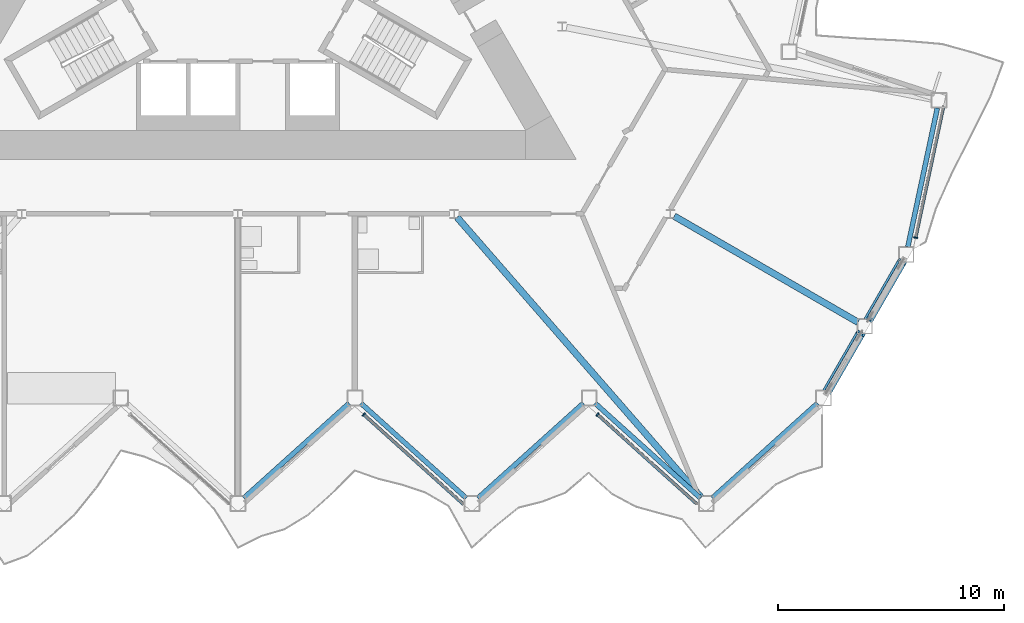
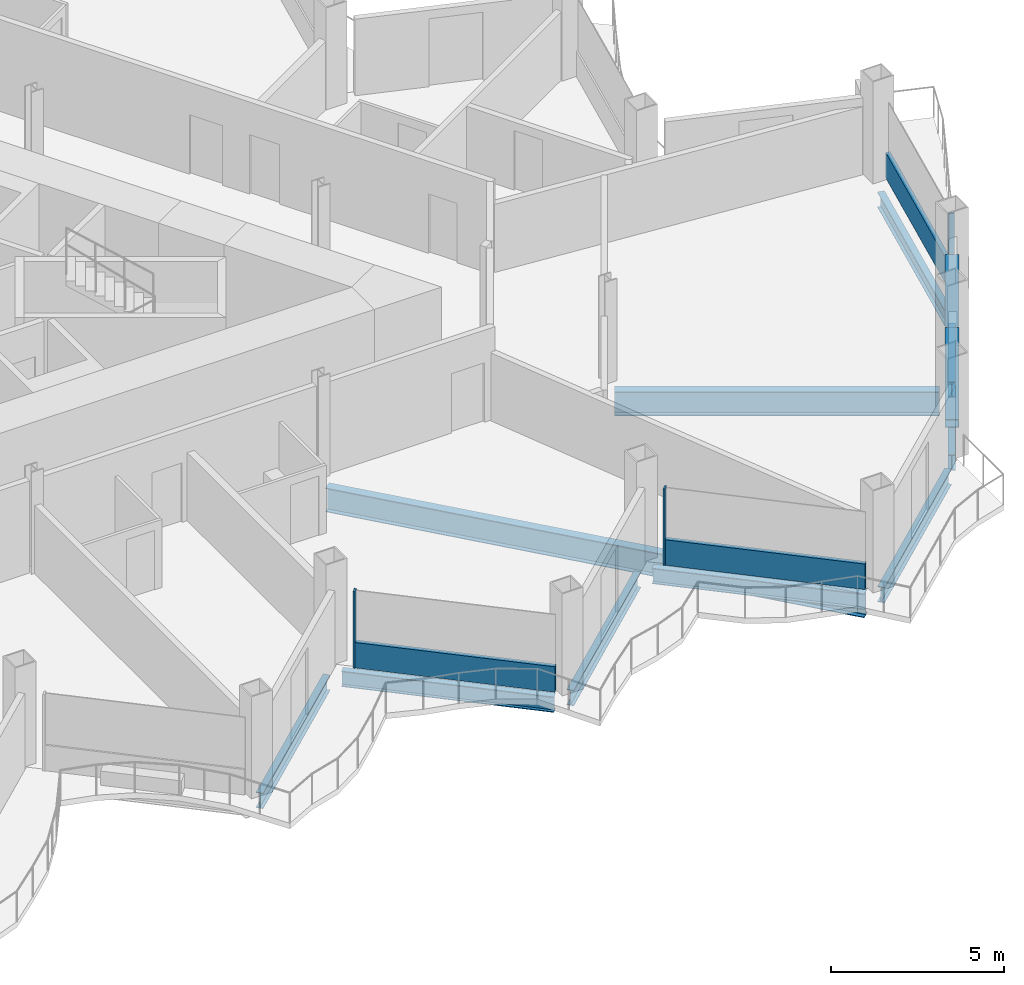
# One storey, part 6 of 23: 10 beams, 8 members, 3 elements without a shape of their own.
"""IFC4 building model written with IfcOpenShell, lengths in metres."""

from ifc_helpers import new_model, si_unit, direction, frame, origin, origin_2d, place, context, subcontext, project, spatial, rectangle, hollow_rectangle, i_section, extrude, material, layer, layer_set, material_profile, profile_set, type_object, element, aggregate, save


model = new_model("IFC4")

# Units and contexts
model_context = context("Model", 3, precision=1e-05, world=origin(), true_north=direction((0.0, 1.0)))
body_context = subcontext(model_context, "Body", "Model", "MODEL_VIEW")
ifc_project = project(units=[si_unit("LENGTHUNIT", "METRE"), si_unit("AREAUNIT", "SQUARE_METRE"), si_unit("VOLUMEUNIT", "CUBIC_METRE"), si_unit("PLANEANGLEUNIT", "RADIAN"), si_unit("MASSUNIT", "GRAM", prefix="KILO")], contexts=[model_context])

# Site, building, storey
site_placement = place(None, origin())
site = spatial("IfcSite", under=ifc_project, at=site_placement, CompositionType="ELEMENT")
building_placement = place(site_placement, origin())
building = spatial("IfcBuilding", under=site, at=building_placement, Name="Cormorant Prow Tower", CompositionType="ELEMENT")
storey_placement = place(building_placement, frame((0.0, 0.0, 252.60009765625)))
storey = spatial("IfcBuildingStorey", under=building, at=storey_placement, Name="L56", CompositionType="ELEMENT", Elevation=252.60009765625)

# Members
ifc_material_1 = material(Name="Structural steel ASTM A500 Gr C", Category="steel")
ifc_material_profile_1 = material_profile(ifc_material_1, hollow_rectangle(XDim=0.406494140625, YDim=0.406494140625, WallThickness=0.01171875, at=origin_2d()), Name="HSS16x16x1/2")
ifc_profile_set_1 = profile_set([ifc_material_profile_1], Name="Structural steel ASTM A500 Gr C")
member_type_1 = type_object("IfcMemberType", Name="Chamfer brace HSS16x16x1/2", PredefinedType="BRACE", material=ifc_profile_set_1)
for number, where, z_axis, x_axis, name in (
    (1, (26.1240234375, -18.898681640625, 0.74951171875), (0.462773096913, 0.801606962687, 0.378506721399), (-0.866041729639, 0.499971721724, 0.0), "Chamfer brace BR2 at ESE00 L56"),
    (2, (27.959228515625, -15.719970703125, 0.74951171875), (0.462773096913, 0.801606962687, 0.378506721399), (-0.866041729639, 0.499971721724, 0.0), "Chamfer brace BR2 at ESE01 L56"),
):
    element("IfcMember", number, at=place(storey_placement, frame(where, z_axis=z_axis, x_axis=x_axis)), inside=storey, type_object=member_type_1, Name=name, PredefinedType="BRACE", context=body_context, shape_type="SweptSolid", body=[
        extrude(hollow_rectangle(XDim=0.406494140625, YDim=0.406494140625, WallThickness=0.01171875, at=origin_2d()), origin(), (0.0, 0.0, 1.0), 3.17529296875),
    ])

# Curtain wall, member
ifc_material_2 = material(Name="Aluminium 6063-T6", Category="aluminium")
ifc_layer = layer(ifc_material_2, 0.179931640625)
ifc_layer_set = layer_set([ifc_layer], Name="Aluminium 6063-T6")
curtain_wall_type = type_object("IfcCurtainWallType", Name="Hotel unitised curtain wall 180", PredefinedType="NOTDEFINED", material=ifc_layer_set)
curtain_wall_1_placement = place(storey_placement, origin())
curtain_wall_1 = element("IfcCurtainWall", 3, at=curtain_wall_1_placement, inside=storey, type_object=curtain_wall_type, Name="Hotel curtain wall S06", PredefinedType="NOTDEFINED")
ifc_material_3 = material(Name="Aluminium 6063-T6", Category="aluminium")
ifc_material_profile_2 = material_profile(ifc_material_3, rectangle(XDim=0.179931640625, YDim=0.06005859375, at=origin_2d()), Name="Hotel mullion 60x180")
ifc_profile_set_2 = profile_set([ifc_material_profile_2], Name="Aluminium 6063-T6")
member_type_2 = type_object("IfcMemberType", Name="Hotel mullion 60x180", PredefinedType="MULLION", material=ifc_profile_set_2)
member_1_placement = place(storey_placement, frame((5.57421875, -19.94873046875, 0.0), z_axis=(0.0, 0.0, 1.0), x_axis=(0.669130602377, 0.743144829063, 0.0)))
member_1 = element("IfcMember", 4, at=member_1_placement, type_object=member_type_2, Name="Hotel mullion S06", PredefinedType="MULLION", context=body_context, shape_type="SweptSolid", body=[
    extrude(rectangle(XDim=0.179931640625, YDim=0.06005859375, at=origin_2d()), origin(), (0.0, 0.0, 1.0), 2.70068359375),
])

curtain_wall_2_placement = place(storey_placement, origin())
curtain_wall_2 = element("IfcCurtainWall", 5, at=curtain_wall_2_placement, inside=storey, type_object=curtain_wall_type, Name="Hotel curtain wall S08", PredefinedType="NOTDEFINED")
member_2_placement = place(storey_placement, frame((15.93310546875, -19.94873046875, 0.0), z_axis=(0.0, 0.0, 1.0), x_axis=(0.669130602377, 0.743144829063, 0.0)))
member_2 = element("IfcMember", 6, at=member_2_placement, type_object=member_type_2, Name="Hotel mullion S08", PredefinedType="MULLION", context=body_context, shape_type="SweptSolid", body=[
    extrude(rectangle(XDim=0.179931640625, YDim=0.06005859375, at=origin_2d()), origin(), (0.0, 0.0, 1.0), 2.70068359375),
])

curtain_wall_3_placement = place(storey_placement, origin())
curtain_wall_3 = element("IfcCurtainWall", 7, at=curtain_wall_3_placement, inside=storey, type_object=curtain_wall_type, Name="Hotel curtain wall ENE00", PredefinedType="NOTDEFINED")
member_3_placement = place(storey_placement, frame((30.027587890625, -12.11181640625, 0.0), z_axis=(0.0, 0.0, 1.0), x_axis=(-0.978147572038, 0.207911825822, 0.0)))
member_3 = element("IfcMember", 8, at=member_3_placement, type_object=member_type_2, Name="Hotel mullion ENE00", PredefinedType="MULLION", context=body_context, shape_type="SweptSolid", body=[
    extrude(rectangle(XDim=0.179931640625, YDim=0.06005859375, at=origin_2d()), origin(), (0.0, 0.0, 1.0), 2.70068359375),
])

# Member
ifc_material_4 = material(Name="Terracotta", Category="masonry")
ifc_material_profile_3 = material_profile(ifc_material_4, rectangle(XDim=0.139892578125, YDim=0.89990234375, at=origin_2d()), Name="Hotel terracotta spandrel rail 140x900")
ifc_profile_set_3 = profile_set([ifc_material_profile_3], Name="Terracotta")
member_type_3 = type_object("IfcMemberType", Name="Hotel terracotta spandrel rail 140x900", PredefinedType="USERDEFINED", material=ifc_profile_set_3)
member_4_placement = place(storey_placement, frame((5.596435546875, -19.968994140625, 0.449951171875), z_axis=(0.743164674775, -0.669108560823, 0.0), x_axis=(0.669108560823, 0.743164674775, 0.0)))
member_4 = element("IfcMember", 9, at=member_4_placement, type_object=member_type_3, Name="Hotel spandrel rail S06", ObjectType="TRANSOM", PredefinedType="USERDEFINED", context=body_context, shape_type="SweptSolid", body=[
    extrude(rectangle(XDim=0.139892578125, YDim=0.89990234375, at=origin_2d()), origin(), (0.0, 0.0, 1.0), 5.90771484375),
])

aggregate(curtain_wall_1, [member_1, member_4])

member_5_placement = place(storey_placement, frame((15.955322265625, -19.968994140625, 0.449951171875), z_axis=(0.743164674775, -0.669108560823, 0.0), x_axis=(0.669108560823, 0.743164674775, 0.0)))
member_5 = element("IfcMember", 10, at=member_5_placement, type_object=member_type_3, Name="Hotel spandrel rail S08", ObjectType="TRANSOM", PredefinedType="USERDEFINED", context=body_context, shape_type="SweptSolid", body=[
    extrude(rectangle(XDim=0.139892578125, YDim=0.89990234375, at=origin_2d()), origin(), (0.0, 0.0, 1.0), 5.90771484375),
])

aggregate(curtain_wall_2, [member_2, member_5])

member_6_placement = place(storey_placement, frame((30.033935546875, -12.08251953125, 0.449951171875), z_axis=(0.207903236983, 0.978149397614, 0.0), x_axis=(-0.978149397614, 0.207903236983, 0.0)))
member_6 = element("IfcMember", 11, at=member_6_placement, type_object=member_type_3, Name="Hotel spandrel rail ENE00", ObjectType="TRANSOM", PredefinedType="USERDEFINED", context=body_context, shape_type="SweptSolid", body=[
    extrude(rectangle(XDim=0.139892578125, YDim=0.89990234375, at=origin_2d()), origin(), (0.0, 0.0, 1.0), 5.907958984375),
])

aggregate(curtain_wall_3, [member_3, member_6])

# Beams
ifc_material_5 = material(Name="Structural steel ASTM A992 Gr 50", Category="steel")
ifc_material_profile_4 = material_profile(ifc_material_5, i_section(OverallWidth=0.29296875, OverallDepth=0.845703125, WebThickness=0.015380859375, FlangeThickness=0.0244140625, at=origin_2d()), Name="W33x141")
ifc_profile_set_4 = profile_set([ifc_material_profile_4], Name="Structural steel ASTM A992 Gr 50")
beam_type_1 = type_object("IfcBeamType", Name="Radial floor beam W33x141", PredefinedType="BEAM", material=ifc_profile_set_4)
beam_1_placement = place(storey_placement, frame((9.70947265625, -11.210693359375, -0.77294921875), z_axis=(0.656874593387, -0.753999846527, 0.0), x_axis=(0.753999846527, 0.656874593387, 0.0)))
element("IfcBeam", 12, at=beam_1_placement, inside=storey, type_object=beam_type_1, Name="Radial floor beam FB2 8 L56", PredefinedType="BEAM", context=body_context, shape_type="SweptSolid", body=[
    extrude(i_section(OverallWidth=0.29296875, OverallDepth=0.845703125, WebThickness=0.015380859375, FlangeThickness=0.0244140625, at=origin_2d()), origin(), (0.0, 0.0, 1.0), 16.4619140625),
])
beam_2_placement = place(storey_placement, frame((19.32958984375, -11.159912109375, -0.77294921875), z_axis=(0.866021726843, -0.500006368596, 0.0), x_axis=(0.500006368596, 0.866021726843, 0.0)))
element("IfcBeam", 13, at=beam_2_placement, inside=storey, type_object=beam_type_1, Name="Radial floor beam FB2 9 L56", PredefinedType="BEAM", context=body_context, shape_type="SweptSolid", body=[
    extrude(i_section(OverallWidth=0.29296875, OverallDepth=0.845703125, WebThickness=0.015380859375, FlangeThickness=0.0244140625, at=origin_2d()), origin(), (0.0, 0.0, 1.0), 9.40380859375),
])
ifc_material_6 = material(Name="Structural steel ASTM A992 Gr 50", Category="steel")
ifc_material_profile_5 = material_profile(ifc_material_6, i_section(OverallWidth=0.2138671875, OverallDepth=0.549072265625, WebThickness=0.0146484375, FlangeThickness=0.023681640625, at=origin_2d()), Name="W21x93")
ifc_profile_set_5 = profile_set([ifc_material_profile_5], Name="Structural steel ASTM A992 Gr 50")
beam_type_2 = type_object("IfcBeamType", Name="Spandrel beam W21x93", PredefinedType="SPANDREL", material=ifc_profile_set_5)
for number, where, z_axis, x_axis, name in (
    (14, (0.260009765625, -23.65283203125, -0.624755859375), (0.743156918576, 0.669117175368, 0.0), (-0.669117175368, 0.743156918576, 0.0), "Spandrel beam SB2 S05-S06 L56"),
    (15, (5.4482421875, -19.44970703125, -0.624755859375), (0.743156918576, -0.669117175368, 0.0), (0.669117175368, 0.743156918576, 0.0), "Spandrel beam SB2 S06-S07 L56"),
    (16, (10.636474609375, -23.65283203125, -0.624755859375), (0.743156918576, 0.669117175368, 0.0), (-0.669117175368, 0.743156918576, 0.0), "Spandrel beam SB2 S07-S08 L56"),
    (17, (15.82470703125, -19.44970703125, -0.624755859375), (0.743156918576, -0.669117175368, 0.0), (0.669117175368, 0.743156918576, 0.0), "Spandrel beam SB2 S08-S09 L56"),
    (18, (21.012939453125, -23.65283203125, -0.624755859375), (0.743156918576, 0.669117175368, 0.0), (-0.669117175368, 0.743156918576, 0.0), "Spandrel beam SB2 S09-ESE00 L56"),
):
    element("IfcBeam", number, at=place(storey_placement, frame(where, z_axis=z_axis, x_axis=x_axis)), inside=storey, type_object=beam_type_2, Name=name, PredefinedType="SPANDREL", context=body_context, shape_type="SweptSolid", body=[
        extrude(i_section(OverallWidth=0.2138671875, OverallDepth=0.549072265625, WebThickness=0.0146484375, FlangeThickness=0.023681640625, at=origin_2d()), origin(), (0.0, 0.0, 1.0), 6.281494140625),
    ])
for number, where, z_axis, x_axis, name in (
    (19, (26.1162109375, -18.912353515625, -0.624755859375), (0.499966725515, 0.866044613965, 0.0), (-0.866044613965, 0.499966725515, 0.0), "Spandrel beam SB2 ESE00-ESE01 L56"),
    (20, (27.951416015625, -15.733642578125, -0.624755859375), (0.499966725515, 0.866044613965, 0.0), (-0.866044613965, 0.499966725515, 0.0), "Spandrel beam SB2 ESE01-ENE00 L56"),
):
    element("IfcBeam", number, at=place(storey_placement, frame(where, z_axis=z_axis, x_axis=x_axis)), inside=storey, type_object=beam_type_2, Name=name, PredefinedType="SPANDREL", context=body_context, shape_type="SweptSolid", body=[
        extrude(i_section(OverallWidth=0.2138671875, OverallDepth=0.549072265625, WebThickness=0.0146484375, FlangeThickness=0.023681640625, at=origin_2d()), origin(), (0.0, 0.0, 1.0), 2.970458984375),
    ])
beam_3_placement = place(storey_placement, frame((29.684326171875, -12.515625, -0.624755859375), z_axis=(0.207941499013, 0.978141264331, 0.0), x_axis=(-0.978141264331, 0.207941499013, 0.0)))
element("IfcBeam", 21, at=beam_3_placement, inside=storey, type_object=beam_type_2, Name="Spandrel beam SB2 ENE00-ENE01 L56", PredefinedType="SPANDREL", context=body_context, shape_type="SweptSolid", body=[
    extrude(i_section(OverallWidth=0.2138671875, OverallDepth=0.549072265625, WebThickness=0.0146484375, FlangeThickness=0.023681640625, at=origin_2d()), origin(), (0.0, 0.0, 1.0), 6.28125),
])

save(model, "model.ifc")
